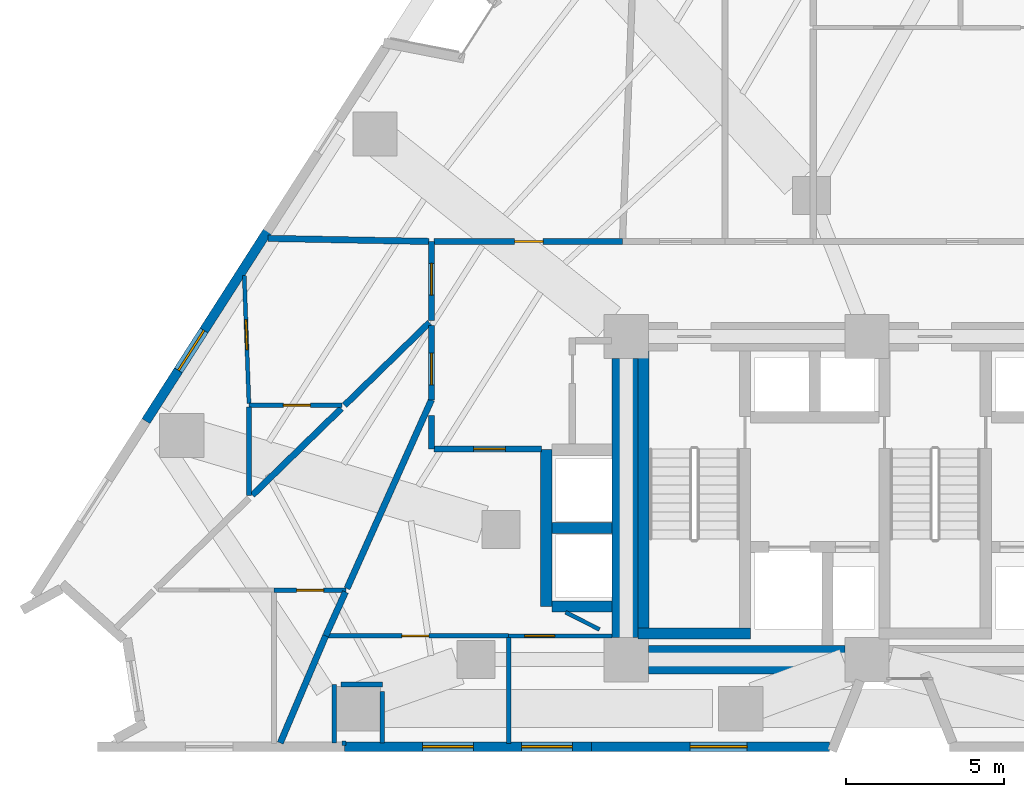
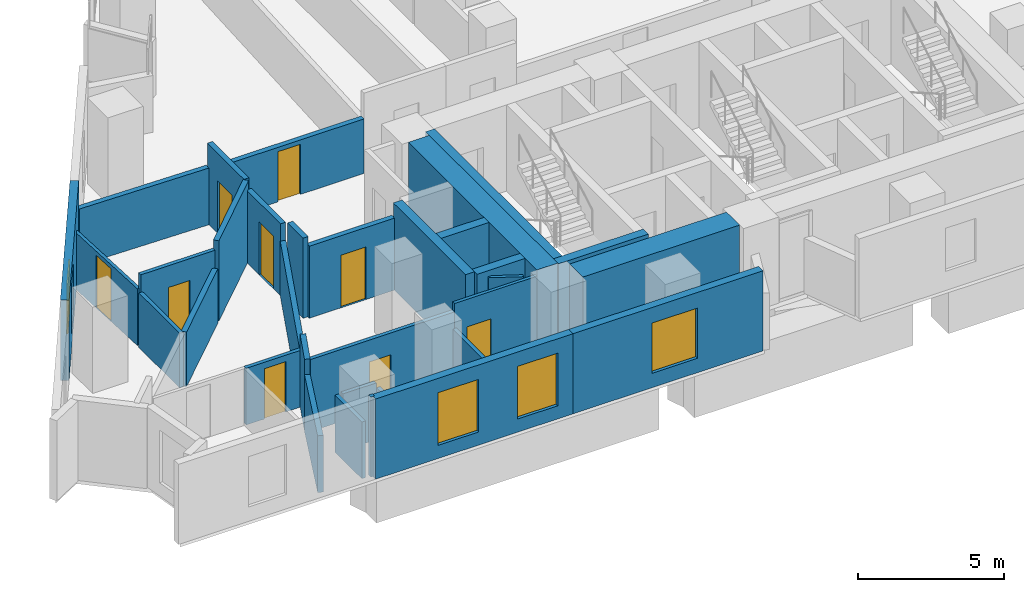
# One storey, part 7 of 13: 33 walls, 9 doors, 4 windows, 13 openings.
"""IFC4 building model written with IfcOpenShell, lengths in metres."""

from ifc_helpers import new_model, si_unit, direction, frame, frame_2d, origin, place, context, subcontext, project, spatial, rectangle, extrude, material, layer, layer_set, type_object, element, fill, save


model = new_model("IFC4")

# Units and contexts
model_context = context("Model", 3, precision=1e-05, world=origin(), true_north=direction((0.0, 1.0)))
body_context = subcontext(model_context, "Body", "Model", "MODEL_VIEW")
ifc_project = project(units=[si_unit("LENGTHUNIT", "METRE"), si_unit("AREAUNIT", "SQUARE_METRE"), si_unit("VOLUMEUNIT", "CUBIC_METRE"), si_unit("PLANEANGLEUNIT", "RADIAN"), si_unit("MASSUNIT", "GRAM", prefix="KILO")], contexts=[model_context])

# Site, building, storey
site_placement = place(None, origin())
site = spatial("IfcSite", under=ifc_project, at=site_placement, CompositionType="ELEMENT")
building_placement = place(site_placement, origin())
building = spatial("IfcBuilding", under=site, at=building_placement, Name="Almagre Mirador Tower", CompositionType="ELEMENT")
storey_placement = place(building_placement, frame((0.0, 0.0, 53.39990234375)))
storey = spatial("IfcBuildingStorey", under=building, at=storey_placement, Name="L12", CompositionType="ELEMENT", Elevation=53.39990234375)

# Wall, opening, window
ifc_material_1 = material(Name="Precast concrete C50/60", Category="concrete")
ifc_layer_1 = layer(ifc_material_1, 0.300048828125)
ifc_layer_set_1 = layer_set([ifc_layer_1], Name="Precast concrete C50/60")
wall_type_1 = type_object("IfcWallType", Name="WAL-EXT-300", PredefinedType="SOLIDWALL", material=ifc_layer_set_1)
wall_1_placement = place(storey_placement, frame((33.965087890625, 1.800048828125, 0.0), z_axis=(0.0, 0.0, 1.0), x_axis=(-1.0, 0.0, 0.0)))
wall_1 = element("IfcWall", 1, at=wall_1_placement, inside=storey, type_object=wall_type_1, Name="L12 expressed almagre precast frame wall 26", PredefinedType="SOLIDWALL", context=body_context, shape_type="SweptSolid", body=[
    extrude(rectangle(XDim=7.518310546875, YDim=0.300048828125, at=frame_2d((3.75927734375, 0.0))), origin(), (0.0, 0.0, 1.0), 3.35009765625),
])
opening_1_placement = place(wall_1_placement, frame((2.60009765625, 0.0, 0.60009765625)))
opening_1 = element("IfcOpeningElement", 2, at=opening_1_placement, cuts=wall_1, Name="Opening WN-01", PredefinedType="OPENING", context=body_context, shape_type="SweptSolid", body=[
    extrude(rectangle(XDim=1.800048828125, YDim=2.10009765625, at=frame_2d((0.89990234375, 1.050048828125))), frame((0.0, 0.159902, 0.0), z_axis=(0.0, -1.0, 0.0), x_axis=(1.0, 0.0, 0.0)), (0.0, 0.0, 1.0), 0.320049),
])
ifc_material_2 = material(Name="Dark solar-control laminated hurricane glass", Category="glass")
window_type_1 = type_object("IfcWindowType", Name="WIN-1800X2100", PartitioningType="DOUBLE_PANEL_VERTICAL", PredefinedType="WINDOW", material=ifc_material_2)
window_1_placement = place(opening_1_placement, origin())
window_1 = element("IfcWindow", 3, at=window_1_placement, inside=storey, type_object=window_type_1, Name="L12 recessed hurricane window L12-UB-KT", OverallHeight=2.10009765625, OverallWidth=1.800048828125, PartitioningType="SINGLE_PANEL", PredefinedType="WINDOW", context=body_context, shape_type="SweptSolid", body=[
    extrude(rectangle(XDim=1.800048828125, YDim=2.10009765625, at=frame_2d((0.89990234375, 1.050048828125))), frame((0.0, 0.030029296875, 0.0), z_axis=(0.0, -1.0, 0.0), x_axis=(1.0, 0.0, 0.0)), (0.0, 0.0, 1.0), 0.06005859375),
])
fill(opening_1, window_1)

# Wall, openings, windows
wall_2_placement = place(storey_placement, frame((26.44677734375, 1.800048828125, 0.0), z_axis=(0.0, 0.0, 1.0), x_axis=(-1.0, 0.0, 0.0)))
wall_2 = element("IfcWall", 4, at=wall_2_placement, inside=storey, type_object=wall_type_1, Name="L12 expressed almagre precast frame wall 27", PredefinedType="SOLIDWALL", context=body_context, shape_type="SweptSolid", body=[
    extrude(rectangle(XDim=7.79345703125, YDim=0.300048828125, at=frame_2d((3.896728515625, 0.0))), origin(), (0.0, 0.0, 1.0), 3.35009765625),
])
opening_2_placement = place(wall_2_placement, frame((3.72509765625, 0.0, 0.550048828125)))
opening_2 = element("IfcOpeningElement", 5, at=opening_2_placement, cuts=wall_2, Name="Opening WN-06", PredefinedType="OPENING", context=body_context, shape_type="SweptSolid", body=[
    extrude(rectangle(XDim=1.60009765625, YDim=2.199951171875, at=frame_2d((0.800048828125, 1.10009765625))), frame((0.0, 0.159902, 0.0), z_axis=(0.0, -1.0, 0.0), x_axis=(1.0, 0.0, 0.0)), (0.0, 0.0, 1.0), 0.320049),
])
opening_3_placement = place(wall_2_placement, frame((0.60009765625, 0.0, 0.550048828125)))
opening_3 = element("IfcOpeningElement", 6, at=opening_3_placement, cuts=wall_2, Name="Opening WN-06", PredefinedType="OPENING", context=body_context, shape_type="SweptSolid", body=[
    extrude(rectangle(XDim=1.60009765625, YDim=2.199951171875, at=frame_2d((0.800048828125, 1.10009765625))), frame((0.0, 0.159902, 0.0), z_axis=(0.0, -1.0, 0.0), x_axis=(1.0, 0.0, 0.0)), (0.0, 0.0, 1.0), 0.320049),
])
ifc_material_3 = material(Name="Dark solar-control laminated hurricane glass", Category="glass")
window_type_2 = type_object("IfcWindowType", Name="WIN-1600X2200", PartitioningType="DOUBLE_PANEL_VERTICAL", PredefinedType="WINDOW", material=ifc_material_3)
window_2_placement = place(opening_2_placement, origin())
window_2 = element("IfcWindow", 7, at=window_2_placement, inside=storey, type_object=window_type_2, Name="L12 recessed hurricane window L12-UB-BT", OverallHeight=2.199951171875, OverallWidth=1.60009765625, PartitioningType="SINGLE_PANEL", PredefinedType="WINDOW", context=body_context, shape_type="SweptSolid", body=[
    extrude(rectangle(XDim=1.60009765625, YDim=2.199951171875, at=frame_2d((0.800048828125, 1.10009765625))), frame((0.0, 0.030029296875, 0.0), z_axis=(0.0, -1.0, 0.0), x_axis=(1.0, 0.0, 0.0)), (0.0, 0.0, 1.0), 0.06005859375),
])
fill(opening_2, window_2)
window_3_placement = place(opening_3_placement, origin())
window_3 = element("IfcWindow", 8, at=window_3_placement, inside=storey, type_object=window_type_2, Name="L12 recessed hurricane window L12-UB-KT", OverallHeight=2.199951171875, OverallWidth=1.60009765625, PartitioningType="SINGLE_PANEL", PredefinedType="WINDOW", context=body_context, shape_type="SweptSolid", body=[
    extrude(rectangle(XDim=1.60009765625, YDim=2.199951171875, at=frame_2d((0.800048828125, 1.10009765625))), frame((0.0, 0.030029296875, 0.0), z_axis=(0.0, -1.0, 0.0), x_axis=(1.0, 0.0, 0.0)), (0.0, 0.0, 1.0), 0.06005859375),
])
fill(opening_3, window_3)

# Wall, opening, window
wall_3_placement = place(storey_placement, frame((12.386474609375, 12.079345703125, 0.0), z_axis=(0.0, 0.0, 1.0), x_axis=(0.539509086386, 0.841979777493, 0.0)))
wall_3 = element("IfcWall", 9, at=wall_3_placement, inside=storey, type_object=wall_type_1, Name="L12 expressed almagre precast frame wall 34", PredefinedType="SOLIDWALL", context=body_context, shape_type="SweptSolid", body=[
    extrude(rectangle(XDim=7.14892578125, YDim=0.300048828125, at=frame_2d((3.574462890625, 0.0))), origin(), (0.0, 0.0, 1.0), 3.35009765625),
])
opening_4_placement = place(wall_3_placement, frame((1.89990234375, 0.0, 0.60009765625)))
opening_4 = element("IfcOpeningElement", 10, at=opening_4_placement, cuts=wall_3, Name="Opening WN-03", PredefinedType="OPENING", context=body_context, shape_type="SweptSolid", body=[
    extrude(rectangle(XDim=1.5, YDim=2.10009765625, at=frame_2d((0.75, 1.050048828125))), frame((0.0, 0.159902, 0.0), z_axis=(0.0, -1.0, 0.0), x_axis=(1.0, 0.0, 0.0)), (0.0, 0.0, 1.0), 0.320049),
])
ifc_material_4 = material(Name="Dark solar-control laminated hurricane glass", Category="glass")
window_type_3 = type_object("IfcWindowType", Name="WIN-1500X2100", PartitioningType="DOUBLE_PANEL_VERTICAL", PredefinedType="WINDOW", material=ifc_material_4)
window_4_placement = place(opening_4_placement, origin())
window_4 = element("IfcWindow", 11, at=window_4_placement, inside=storey, type_object=window_type_3, Name="L12 recessed hurricane window L12-UE-KT", OverallHeight=2.10009765625, OverallWidth=1.5, PartitioningType="SINGLE_PANEL", PredefinedType="WINDOW", context=body_context, shape_type="SweptSolid", body=[
    extrude(rectangle(XDim=1.5, YDim=2.10009765625, at=frame_2d((0.75, 1.050048828125))), frame((0.0, 0.030029296875, 0.0), z_axis=(0.0, -1.0, 0.0), x_axis=(1.0, 0.0, 0.0)), (0.0, 0.0, 1.0), 0.06005859375),
])
fill(opening_4, window_4)

# Wall, opening, door
ifc_material_5 = material(Name="Gypsum acoustic stud partition", Category="other")
ifc_layer_2 = layer(ifc_material_5, 0.125)
ifc_layer_set_2 = layer_set([ifc_layer_2], Name="Gypsum acoustic stud partition")
wall_type_2 = type_object("IfcWallType", Name="WAL-PRT-125-UTL", PredefinedType="PARTITIONING", material=ifc_layer_set_2)
wall_4_placement = place(storey_placement, frame((23.840087890625, 5.300048828125, 0.0), z_axis=(0.0, 0.0, 1.0), x_axis=(1.0, 0.0, 0.0)))
wall_4 = element("IfcWall", 12, at=wall_4_placement, inside=storey, type_object=wall_type_2, Name="L12 interior partition 026", PredefinedType="PARTITIONING", context=body_context, shape_type="SweptSolid", body=[
    extrude(rectangle(XDim=3.260009765625, YDim=0.125, at=frame_2d((1.6298828125, 0.0))), origin(), (0.0, 0.0, 1.0), 3.35009765625),
])
opening_5_placement = place(wall_4_placement, frame((0.498291015625, 0.0, 0.0)))
opening_5 = element("IfcOpeningElement", 13, at=opening_5_placement, cuts=wall_4, Name="Opening UD-01", PredefinedType="OPENING", context=body_context, shape_type="SweptSolid", body=[
    extrude(rectangle(XDim=0.949951171875, YDim=2.199951171875, at=frame_2d((0.47509765625, 1.10009765625))), frame((0.0, 0.0725, 0.0), z_axis=(0.0, -1.0, 0.0), x_axis=(1.0, 0.0, 0.0)), (0.0, 0.0, 1.0), 0.145),
])
ifc_material_6 = material(Name="Solid American walnut timber", Category="wood")
door_type_1 = type_object("IfcDoorType", Name="DOR-UNR-950X2200", OperationType="NOTDEFINED", PredefinedType="DOOR", material=ifc_material_6)
door_1_placement = place(opening_5_placement, origin())
door_1 = element("IfcDoor", 14, at=door_1_placement, inside=storey, type_object=door_type_1, Name="DR-0387 L12 interior door L12-UB-ST to L12-UB-KT", OperationType="SINGLE_SWING_LEFT", OverallHeight=2.199951171875, OverallWidth=0.949951171875, PredefinedType="DOOR", context=body_context, shape_type="SweptSolid", body=[
    extrude(rectangle(XDim=0.949951171875, YDim=2.199951171875, at=frame_2d((0.47509765625, 1.10009765625))), frame((0.0, 0.02490234375, 0.0), z_axis=(0.0, -1.0, 0.0), x_axis=(1.0, 0.0, 0.0)), (0.0, 0.0, 1.0), 0.050048828125),
])
fill(opening_5, door_1)

wall_5_placement = place(storey_placement, frame((15.489990234375, 16.677978515625, 0.0), z_axis=(0.0, 0.0, 1.0), x_axis=(0.036674223431, -0.999327274388, 0.0)))
wall_5 = element("IfcWall", 15, at=wall_5_placement, inside=storey, type_object=wall_type_2, Name="L12 interior partition 047", PredefinedType="PARTITIONING", context=body_context, shape_type="SweptSolid", body=[
    extrude(rectangle(XDim=4.040771484375, YDim=0.125, at=frame_2d((2.0205078125, 0.0))), origin(), (0.0, 0.0, 1.0), 2.3701171875),
])
opening_6_placement = place(wall_5_placement, frame((1.393310546875, 0.0, 0.0)))
opening_6 = element("IfcOpeningElement", 16, at=opening_6_placement, cuts=wall_5, Name="Opening UD-01", PredefinedType="OPENING", context=body_context, shape_type="SweptSolid", body=[
    extrude(rectangle(XDim=0.949951171875, YDim=2.199951171875, at=frame_2d((0.47509765625, 1.10009765625))), frame((0.0, 0.0725, 0.0), z_axis=(0.0, -1.0, 0.0), x_axis=(1.0, 0.0, 0.0)), (0.0, 0.0, 1.0), 0.145),
])
door_2_placement = place(opening_6_placement, origin())
door_2 = element("IfcDoor", 17, at=door_2_placement, inside=storey, type_object=door_type_1, Name="DR-0390 L12 interior door L12-UE-ST to L12-UE-KT", OperationType="SINGLE_SWING_RIGHT", OverallHeight=2.199951171875, OverallWidth=0.949951171875, PredefinedType="DOOR", context=body_context, shape_type="SweptSolid", body=[
    extrude(rectangle(XDim=0.949951171875, YDim=2.199951171875, at=frame_2d((0.47509765625, 1.10009765625))), frame((0.0, 0.02490234375, 0.0), z_axis=(0.0, -1.0, 0.0), x_axis=(1.0, 0.0, 0.0)), (0.0, 0.0, 1.0), 0.050048828125),
])
fill(opening_6, door_2)

# Wall
wall_6_placement = place(storey_placement, frame((25.635009765625, 6.045654296875, 0.0), z_axis=(0.0, 0.0, 1.0), x_axis=(0.891197428161, -0.453615634694, 0.0)))
element("IfcWall", 18, at=wall_6_placement, inside=storey, type_object=wall_type_2, Name="L12 interior partition 104", PredefinedType="PARTITIONING", context=body_context, shape_type="SweptSolid", body=[
    extrude(rectangle(XDim=1.202880859375, YDim=0.125, at=frame_2d((0.6015625, 0.0))), origin(), (0.0, 0.0, 1.0), 3.35009765625),
])

# Wall, opening, door
ifc_material_7 = material(Name="Gypsum acoustic stud partition", Category="other")
ifc_layer_3 = layer(ifc_material_7, 0.14990234375)
ifc_layer_set_3 = layer_set([ifc_layer_3], Name="Gypsum acoustic stud partition")
wall_type_3 = type_object("IfcWallType", Name="WAL-PRT-150-STD", PredefinedType="PARTITIONING", material=ifc_layer_set_3)
wall_7_placement = place(storey_placement, frame((16.429931640625, 6.739990234375, 0.0), z_axis=(0.0, 0.0, 1.0), x_axis=(1.0, 0.0, 0.0)))
wall_7 = element("IfcWall", 19, at=wall_7_placement, inside=storey, type_object=wall_type_3, Name="L12 interior partition 016", PredefinedType="PARTITIONING", context=body_context, shape_type="SweptSolid", body=[
    extrude(rectangle(XDim=2.280029296875, YDim=0.14990234375, at=frame_2d((1.14013671875, 0.0))), origin(), (0.0, 0.0, 1.0), 2.3701171875),
])
opening_7_placement = place(wall_7_placement, frame((0.715087890625, 0.0, 0.0)))
opening_7 = element("IfcOpeningElement", 20, at=opening_7_placement, cuts=wall_7, Name="Opening UD-04", PredefinedType="OPENING", context=body_context, shape_type="SweptSolid", body=[
    extrude(rectangle(XDim=0.85009765625, YDim=2.10009765625, at=frame_2d((0.425048828125, 1.050048828125))), frame((0.0, 0.084951, 0.0), z_axis=(0.0, -1.0, 0.0), x_axis=(1.0, 0.0, 0.0)), (0.0, 0.0, 1.0), 0.169902),
])
ifc_material_8 = material(Name="Moisture-resistant oak timber", Category="wood")
door_type_2 = type_object("IfcDoorType", Name="DOR-UNR-850X2100", OperationType="NOTDEFINED", PredefinedType="DOOR", material=ifc_material_8)
door_3_placement = place(opening_7_placement, origin())
door_3 = element("IfcDoor", 21, at=door_3_placement, inside=storey, type_object=door_type_2, Name="DR-0385 L12 interior door L12-UA-ST to L12-UA-BT", OperationType="SINGLE_SWING_LEFT", OverallHeight=2.10009765625, OverallWidth=0.85009765625, PredefinedType="DOOR", context=body_context, shape_type="SweptSolid", body=[
    extrude(rectangle(XDim=0.85009765625, YDim=2.10009765625, at=frame_2d((0.425048828125, 1.050048828125))), frame((0.0, 0.02490234375, 0.0), z_axis=(0.0, -1.0, 0.0), x_axis=(1.0, 0.0, 0.0)), (0.0, 0.0, 1.0), 0.050048828125),
])
fill(opening_7, door_3)

wall_8_placement = place(storey_placement, frame((18.14501953125, 5.300048828125, 0.0), z_axis=(0.0, 0.0, 1.0), x_axis=(1.0, 0.0, 0.0)))
wall_8 = element("IfcWall", 22, at=wall_8_placement, inside=storey, type_object=wall_type_3, Name="L12 interior partition 025", PredefinedType="PARTITIONING", context=body_context, shape_type="SweptSolid", body=[
    extrude(rectangle(XDim=5.695068359375, YDim=0.14990234375, at=frame_2d((2.84765625, 0.0))), origin(), (0.0, 0.0, 1.0), 3.010009765625),
])
opening_8_placement = place(wall_8_placement, frame((2.3203125, 0.0, 0.0)))
opening_8 = element("IfcOpeningElement", 23, at=opening_8_placement, cuts=wall_8, Name="Opening UD-04", PredefinedType="OPENING", context=body_context, shape_type="SweptSolid", body=[
    extrude(rectangle(XDim=0.85009765625, YDim=2.10009765625, at=frame_2d((0.425048828125, 1.050048828125))), frame((0.0, 0.084951, 0.0), z_axis=(0.0, -1.0, 0.0), x_axis=(1.0, 0.0, 0.0)), (0.0, 0.0, 1.0), 0.169902),
])
door_4_placement = place(opening_8_placement, origin())
door_4 = element("IfcDoor", 24, at=door_4_placement, inside=storey, type_object=door_type_2, Name="DR-0388 L12 interior door L12-UB-ST to L12-UB-BT", OperationType="SINGLE_SWING_RIGHT", OverallHeight=2.10009765625, OverallWidth=0.85009765625, PredefinedType="DOOR", context=body_context, shape_type="SweptSolid", body=[
    extrude(rectangle(XDim=0.85009765625, YDim=2.10009765625, at=frame_2d((0.425048828125, 1.050048828125))), frame((0.0, 0.02490234375, 0.0), z_axis=(0.0, -1.0, 0.0), x_axis=(1.0, 0.0, 0.0)), (0.0, 0.0, 1.0), 0.050048828125),
])
fill(opening_8, door_4)

# Wall
wall_9_placement = place(storey_placement, frame((23.840087890625, 1.89990234375, 0.0), z_axis=(0.0, 0.0, 1.0), x_axis=(0.0, 1.0, 0.0)))
element("IfcWall", 25, at=wall_9_placement, inside=storey, type_object=wall_type_3, Name="L12 interior partition 027", PredefinedType="PARTITIONING", context=body_context, shape_type="SweptSolid", body=[
    extrude(rectangle(XDim=3.340087890625, YDim=0.14990234375, at=frame_2d((1.669921875, 0.0))), origin(), (0.0, 0.0, 1.0), 2.30908203125),
])

# Wall, opening, door
wall_10_placement = place(storey_placement, frame((15.639892578125, 12.580078125, 0.0), z_axis=(0.0, 0.0, 1.0), x_axis=(1.0, 0.0, 0.0)))
wall_10 = element("IfcWall", 26, at=wall_10_placement, inside=storey, type_object=wall_type_3, Name="L12 interior partition 046", PredefinedType="PARTITIONING", context=body_context, shape_type="SweptSolid", body=[
    extrude(rectangle(XDim=2.93505859375, YDim=0.14990234375, at=frame_2d((1.467529296875, 0.0))), origin(), (0.0, 0.0, 1.0), 3.010009765625),
])
opening_9_placement = place(wall_10_placement, frame((1.0849609375, 0.0, 0.0)))
opening_9 = element("IfcOpeningElement", 27, at=opening_9_placement, cuts=wall_10, Name="Opening UD-04", PredefinedType="OPENING", context=body_context, shape_type="SweptSolid", body=[
    extrude(rectangle(XDim=0.85009765625, YDim=2.10009765625, at=frame_2d((0.425048828125, 1.050048828125))), frame((0.0, 0.084951, 0.0), z_axis=(0.0, -1.0, 0.0), x_axis=(1.0, 0.0, 0.0)), (0.0, 0.0, 1.0), 0.169902),
])
door_5_placement = place(opening_9_placement, origin())
door_5 = element("IfcDoor", 28, at=door_5_placement, inside=storey, type_object=door_type_2, Name="DR-0391 L12 interior door L12-UE-ST to L12-UE-BT", OperationType="SINGLE_SWING_LEFT", OverallHeight=2.10009765625, OverallWidth=0.85009765625, PredefinedType="DOOR", context=body_context, shape_type="SweptSolid", body=[
    extrude(rectangle(XDim=0.85009765625, YDim=2.10009765625, at=frame_2d((0.425048828125, 1.050048828125))), frame((0.0, 0.02490234375, 0.0), z_axis=(0.0, -1.0, 0.0), x_axis=(1.0, 0.0, 0.0)), (0.0, 0.0, 1.0), 0.050048828125),
])
fill(opening_9, door_5)

# Walls
wall_11_placement = place(storey_placement, frame((15.639892578125, 12.52001953125, 0.0), z_axis=(0.0, 0.0, 1.0), x_axis=(0.0, -1.0, 0.0)))
element("IfcWall", 29, at=wall_11_placement, inside=storey, type_object=wall_type_3, Name="L12 interior partition 049", PredefinedType="PARTITIONING", context=body_context, shape_type="SweptSolid", body=[
    extrude(rectangle(XDim=2.794921875, YDim=0.14990234375, at=frame_2d((1.3974609375, 0.0))), origin(), (0.0, 0.0, 1.0), 2.279052734375),
])
wall_12_placement = place(storey_placement, frame((18.7099609375, 1.908935546875, 0.0), z_axis=(0.0, 0.0, 1.0), x_axis=(-1.0, 0.0, 0.0)))
element("IfcWall", 30, at=wall_12_placement, inside=storey, type_object=wall_type_3, Name="L12 interior partition 108", PredefinedType="PARTITIONING", context=body_context, shape_type="SweptSolid", body=[
    extrude(rectangle(XDim=0.139892578125, YDim=0.14990234375, at=frame_2d((0.06982421875, 0.0))), origin(), (0.0, 0.0, 1.0), 3.35009765625),
])
wall_13_placement = place(storey_placement, frame((18.330078125, 1.908935546875, 0.0), z_axis=(0.0, 0.0, 1.0), x_axis=(0.0, 1.0, 0.0)))
element("IfcWall", 31, at=wall_13_placement, inside=storey, type_object=wall_type_3, Name="L12 interior partition 109", PredefinedType="PARTITIONING", context=body_context, shape_type="SweptSolid", body=[
    extrude(rectangle(XDim=1.85107421875, YDim=0.14990234375, at=frame_2d((0.925537109375, 0.0))), origin(), (0.0, 0.0, 1.0), 2.3701171875),
])
wall_14_placement = place(storey_placement, frame((18.544921875, 3.760009765625, 0.0), z_axis=(0.0, 0.0, 1.0), x_axis=(1.0, 0.0, 0.0)))
element("IfcWall", 32, at=wall_14_placement, inside=storey, type_object=wall_type_3, Name="L12 interior partition 110", PredefinedType="PARTITIONING", context=body_context, shape_type="SweptSolid", body=[
    extrude(rectangle(XDim=1.30517578125, YDim=0.14990234375, at=frame_2d((0.652587890625, 0.0))), origin(), (0.0, 0.0, 1.0), 2.3701171875),
])
wall_15_placement = place(storey_placement, frame((19.85009765625, 3.544921875, 0.0), z_axis=(0.0, 0.0, 1.0), x_axis=(0.0, -1.0, 0.0)))
element("IfcWall", 33, at=wall_15_placement, inside=storey, type_object=wall_type_3, Name="L12 interior partition 111", PredefinedType="PARTITIONING", context=body_context, shape_type="SweptSolid", body=[
    extrude(rectangle(XDim=1.635986328125, YDim=0.14990234375, at=frame_2d((0.81787109375, 0.0))), origin(), (0.0, 0.0, 1.0), 2.279052734375),
])

# Wall, opening, door
ifc_material_9 = material(Name="Gypsum acoustic stud partition", Category="other")
ifc_layer_4 = layer(ifc_material_9, 0.199951171875)
ifc_layer_set_4 = layer_set([ifc_layer_4], Name="Gypsum acoustic stud partition")
wall_type_4 = type_object("IfcWallType", Name="WAL-PRT-200-EI60", PredefinedType="PARTITIONING", material=ifc_layer_set_4)
wall_16_placement = place(storey_placement, frame((21.39990234375, 15.090087890625, 0.0), z_axis=(0.0, 0.0, 1.0), x_axis=(0.0, -1.0, 0.0)))
wall_16 = element("IfcWall", 34, at=wall_16_placement, inside=storey, type_object=wall_type_4, Name="L12 interior partition 001", PredefinedType="PARTITIONING", context=body_context, shape_type="SweptSolid", body=[
    extrude(rectangle(XDim=2.340087890625, YDim=0.199951171875, at=frame_2d((1.169921875, 0.0))), origin(), (0.0, 0.0, 1.0), 3.010009765625),
])
opening_10_placement = place(wall_16_placement, frame((0.8671875, 0.0, 0.0)))
opening_10 = element("IfcOpeningElement", 35, at=opening_10_placement, cuts=wall_16, Name="Opening ID-01", PredefinedType="OPENING", context=body_context, shape_type="SweptSolid", body=[
    extrude(rectangle(XDim=1.0, YDim=2.199951171875, at=frame_2d((0.5, 1.10009765625))), frame((0.0, 0.110098, 0.0), z_axis=(0.0, -1.0, 0.0), x_axis=(1.0, 0.0, 0.0)), (0.0, 0.0, 1.0), 0.219951),
])
ifc_material_10 = material(Name="Fire-rated walnut timber", Category="wood")
door_type_3 = type_object("IfcDoorType", Name="DOR-FD60-1000X2200", OperationType="NOTDEFINED", PredefinedType="DOOR", material=ifc_material_10)
door_6_placement = place(opening_10_placement, origin())
door_6 = element("IfcDoor", 36, at=door_6_placement, inside=storey, type_object=door_type_3, Name="DR-0383 L12 interior door L12-RCOR to L12-UA-ST", OperationType="SINGLE_SWING_LEFT", OverallHeight=2.199951171875, OverallWidth=1.0, PredefinedType="DOOR", context=body_context, shape_type="SweptSolid", body=[
    extrude(rectangle(XDim=1.0, YDim=2.199951171875, at=frame_2d((0.5, 1.10009765625))), frame((0.0, 0.02490234375, 0.0), z_axis=(0.0, -1.0, 0.0), x_axis=(1.0, 0.0, 0.0)), (0.0, 0.0, 1.0), 0.050048828125),
])
fill(opening_10, door_6)

# Wall
wall_17_placement = place(storey_placement, frame((21.39990234375, 12.260498046875, 0.0), z_axis=(0.0, 0.0, 1.0), x_axis=(0.0, -1.0, 0.0)))
element("IfcWall", 37, at=wall_17_placement, inside=storey, type_object=wall_type_4, Name="L12 interior partition 002", PredefinedType="PARTITIONING", context=body_context, shape_type="SweptSolid", body=[
    extrude(rectangle(XDim=1.060546875, YDim=0.199951171875, at=frame_2d((0.5302734375, 0.0))), origin(), (0.0, 0.0, 1.0), 3.35009765625),
])

# Wall, opening, door
wall_18_placement = place(storey_placement, frame((21.485107421875, 11.199951171875, 0.0), z_axis=(0.0, 0.0, 1.0), x_axis=(1.0, 0.0, 0.0)))
wall_18 = element("IfcWall", 38, at=wall_18_placement, inside=storey, type_object=wall_type_4, Name="L12 interior partition 003", PredefinedType="PARTITIONING", context=body_context, shape_type="SweptSolid", body=[
    extrude(rectangle(XDim=3.384033203125, YDim=0.199951171875, at=frame_2d((1.69189453125, 0.0))), origin(), (0.0, 0.0, 1.0), 3.010009765625),
])
opening_11_placement = place(wall_18_placement, frame((1.249755859375, 0.0, 0.0)))
opening_11 = element("IfcOpeningElement", 39, at=opening_11_placement, cuts=wall_18, Name="Opening ID-01", PredefinedType="OPENING", context=body_context, shape_type="SweptSolid", body=[
    extrude(rectangle(XDim=1.0, YDim=2.199951171875, at=frame_2d((0.5, 1.10009765625))), frame((0.0, 0.110098, 0.0), z_axis=(0.0, -1.0, 0.0), x_axis=(1.0, 0.0, 0.0)), (0.0, 0.0, 1.0), 0.219951),
])
door_7_placement = place(opening_11_placement, origin())
door_7 = element("IfcDoor", 40, at=door_7_placement, inside=storey, type_object=door_type_3, Name="DR-0386 L12 interior door L12-RCOR to L12-UB-ST", OperationType="SINGLE_SWING_RIGHT", OverallHeight=2.199951171875, OverallWidth=1.0, PredefinedType="DOOR", context=body_context, shape_type="SweptSolid", body=[
    extrude(rectangle(XDim=1.0, YDim=2.199951171875, at=frame_2d((0.5, 1.10009765625))), frame((0.0, 0.02490234375, 0.0), z_axis=(0.0, -1.0, 0.0), x_axis=(1.0, 0.0, 0.0)), (0.0, 0.0, 1.0), 0.050048828125),
])
fill(opening_11, door_7)

wall_19_placement = place(storey_placement, frame((21.39990234375, 17.75, 0.0), z_axis=(0.0, 0.0, 1.0), x_axis=(0.0, -1.0, 0.0)))
wall_19 = element("IfcWall", 41, at=wall_19_placement, inside=storey, type_object=wall_type_4, Name="L12 interior partition 006", PredefinedType="PARTITIONING", context=body_context, shape_type="SweptSolid", body=[
    extrude(rectangle(XDim=2.5, YDim=0.199951171875, at=frame_2d((1.25, 0.0))), origin(), (0.0, 0.0, 1.0), 3.35009765625),
])
opening_12_placement = place(wall_19_placement, frame((0.694580078125, 0.0, 0.0)))
opening_12 = element("IfcOpeningElement", 42, at=opening_12_placement, cuts=wall_19, Name="Opening ID-01", PredefinedType="OPENING", context=body_context, shape_type="SweptSolid", body=[
    extrude(rectangle(XDim=1.0, YDim=2.199951171875, at=frame_2d((0.5, 1.10009765625))), frame((0.0, 0.110098, 0.0), z_axis=(0.0, -1.0, 0.0), x_axis=(1.0, 0.0, 0.0)), (0.0, 0.0, 1.0), 0.219951),
])
door_8_placement = place(opening_12_placement, origin())
door_8 = element("IfcDoor", 43, at=door_8_placement, inside=storey, type_object=door_type_3, Name="DR-0389 L12 interior door L12-RCOR to L12-UE-ST", OperationType="SINGLE_SWING_LEFT", OverallHeight=2.199951171875, OverallWidth=1.0, PredefinedType="DOOR", context=body_context, shape_type="SweptSolid", body=[
    extrude(rectangle(XDim=1.0, YDim=2.199951171875, at=frame_2d((0.5, 1.10009765625))), frame((0.0, 0.02490234375, 0.0), z_axis=(0.0, -1.0, 0.0), x_axis=(1.0, 0.0, 0.0)), (0.0, 0.0, 1.0), 0.050048828125),
])
fill(opening_12, door_8)

wall_20_placement = place(storey_placement, frame((27.429931640625, 17.75, 0.0), z_axis=(0.0, 0.0, 1.0), x_axis=(-1.0, 0.0, 0.0)))
wall_20 = element("IfcWall", 44, at=wall_20_placement, inside=storey, type_object=wall_type_4, Name="L12 interior partition 008", PredefinedType="PARTITIONING", context=body_context, shape_type="SweptSolid", body=[
    extrude(rectangle(XDim=5.94482421875, YDim=0.199951171875, at=frame_2d((2.972412109375, 0.0))), origin(), (0.0, 0.0, 1.0), 2.279052734375),
])
opening_13_placement = place(wall_20_placement, frame((2.505859375, 0.0, 0.0)))
opening_13 = element("IfcOpeningElement", 45, at=opening_13_placement, cuts=wall_20, Name="Opening ID-03", PredefinedType="OPENING", context=body_context, shape_type="SweptSolid", body=[
    extrude(rectangle(XDim=0.89990234375, YDim=2.10009765625, at=frame_2d((0.449951171875, 1.050048828125))), frame((0.0, 0.110098, 0.0), z_axis=(0.0, -1.0, 0.0), x_axis=(1.0, 0.0, 0.0)), (0.0, 0.0, 1.0), 0.219951),
])
ifc_material_11 = material(Name="Fire-rated hollow steel", Category="steel")
door_type_4 = type_object("IfcDoorType", Name="DOR-FD60-900X2100", OperationType="NOTDEFINED", PredefinedType="DOOR", material=ifc_material_11)
door_9_placement = place(opening_13_placement, origin())
door_9 = element("IfcDoor", 46, at=door_9_placement, inside=storey, type_object=door_type_4, Name="DR-0382 L12 interior door L12-RCOR to L12-RST-G", OperationType="SINGLE_SWING_RIGHT", OverallHeight=2.10009765625, OverallWidth=0.89990234375, PredefinedType="DOOR", context=body_context, shape_type="SweptSolid", body=[
    extrude(rectangle(XDim=0.89990234375, YDim=2.10009765625, at=frame_2d((0.449951171875, 1.050048828125))), frame((0.0, 0.02490234375, 0.0), z_axis=(0.0, -1.0, 0.0), x_axis=(1.0, 0.0, 0.0)), (0.0, 0.0, 1.0), 0.050048828125),
])
fill(opening_13, door_9)

# Walls
wall_21_placement = place(storey_placement, frame((18.734619140625, 6.794921875, 0.0), z_axis=(0.0, 0.0, 1.0), x_axis=(0.408515389568, 0.912751431928, 0.0)))
element("IfcWall", 47, at=wall_21_placement, inside=storey, type_object=wall_type_4, Name="L12 interior partition 017", PredefinedType="PARTITIONING", context=body_context, shape_type="SweptSolid", body=[
    extrude(rectangle(XDim=6.5244140625, YDim=0.199951171875, at=frame_2d((3.26220703125, 0.0))), origin(), (0.0, 0.0, 1.0), 2.279052734375),
])
wall_22_placement = place(storey_placement, frame((21.339111328125, 15.190673828125, 0.0), z_axis=(0.0, 0.0, 1.0), x_axis=(-0.716217041319, -0.697877603684, 0.0)))
element("IfcWall", 48, at=wall_22_placement, inside=storey, type_object=wall_type_4, Name="L12 interior partition 018", PredefinedType="PARTITIONING", context=body_context, shape_type="SweptSolid", body=[
    extrude(rectangle(XDim=3.74072265625, YDim=0.199951171875, at=frame_2d((1.870361328125, 0.0))), origin(), (0.0, 0.0, 1.0), 3.35009765625),
])
wall_23_placement = place(storey_placement, frame((18.55615234375, 12.47900390625, 0.0), z_axis=(0.0, 0.0, 1.0), x_axis=(-0.716529276708, -0.69755701962, 0.0)))
element("IfcWall", 49, at=wall_23_placement, inside=storey, type_object=wall_type_4, Name="L12 interior partition 019", PredefinedType="PARTITIONING", context=body_context, shape_type="SweptSolid", body=[
    extrude(rectangle(XDim=3.9248046875, YDim=0.199951171875, at=frame_2d((1.96240234375, 0.0))), origin(), (0.0, 0.0, 1.0), 2.279052734375),
])
wall_24_placement = place(storey_placement, frame((18.06005859375, 5.300048828125, 0.0), z_axis=(0.0, 0.0, 1.0), x_axis=(0.411393031605, 0.911458048155, 0.0)))
element("IfcWall", 50, at=wall_24_placement, inside=storey, type_object=wall_type_4, Name="L12 interior partition 023", PredefinedType="PARTITIONING", context=body_context, shape_type="SweptSolid", body=[
    extrude(rectangle(XDim=1.519775390625, YDim=0.199951171875, at=frame_2d((0.759765625, 0.0))), origin(), (0.0, 0.0, 1.0), 3.010009765625),
])
wall_25_placement = place(storey_placement, frame((16.626953125, 1.91796875, 0.0), z_axis=(0.0, 0.0, 1.0), x_axis=(0.390153809481, 0.920749697229, 0.0)))
element("IfcWall", 51, at=wall_25_placement, inside=storey, type_object=wall_type_4, Name="L12 interior partition 024", PredefinedType="PARTITIONING", context=body_context, shape_type="SweptSolid", body=[
    extrude(rectangle(XDim=3.673095703125, YDim=0.199951171875, at=frame_2d((1.83642578125, 0.0))), origin(), (0.0, 0.0, 1.0), 2.3701171875),
])
wall_26_placement = place(storey_placement, frame((21.31494140625, 17.751220703125, 0.0), z_axis=(0.0, 0.0, 1.0), x_axis=(-0.999818800326, 0.019035926964, 0.0)))
element("IfcWall", 52, at=wall_26_placement, inside=storey, type_object=wall_type_4, Name="L12 interior partition 048", PredefinedType="PARTITIONING", context=body_context, shape_type="SweptSolid", body=[
    extrude(rectangle(XDim=5.078857421875, YDim=0.199951171875, at=frame_2d((2.53955078125, 0.0))), origin(), (0.0, 0.0, 1.0), 2.3701171875),
])
ifc_material_12 = material(Name="Concrete C60/75", Category="concrete")
ifc_layer_5 = layer(ifc_material_12, 0.35009765625)
ifc_layer_set_5 = layer_set([ifc_layer_5], Name="Concrete C60/75")
wall_type_5 = type_object("IfcWallType", Name="WAL-SHF-350", PredefinedType="SOLIDWALL", material=ifc_layer_set_5)
wall_27_placement = place(storey_placement, frame((28.10009765625, 5.199951171875, 0.0), z_axis=(0.0, 0.0, 1.0), x_axis=(0.0, 1.0, 0.0)))
element("IfcWall", 53, at=wall_27_placement, inside=storey, type_object=wall_type_5, Name="L12 shaft wall ST1-W", PredefinedType="SOLIDWALL", context=body_context, shape_type="SweptSolid", body=[
    extrude(rectangle(XDim=9.10009765625, YDim=0.35009765625, at=frame_2d((4.550048828125, 0.0))), origin(), (0.0, 0.0, 1.0), 3.60009765625),
])
wall_28_placement = place(storey_placement, frame((27.925048828125, 5.375, 0.0), z_axis=(0.0, 0.0, 1.0), x_axis=(1.0, 0.0, 0.0)))
element("IfcWall", 54, at=wall_28_placement, inside=storey, type_object=wall_type_5, Name="L12 shaft wall ST1-S", PredefinedType="SOLIDWALL", context=body_context, shape_type="SweptSolid", body=[
    extrude(rectangle(XDim=3.550048828125, YDim=0.35009765625, at=frame_2d((1.77490234375, 0.0))), origin(), (0.0, 0.0, 1.0), 3.60009765625),
])
wall_29_placement = place(storey_placement, frame((25.02490234375, 6.22509765625, 0.0), z_axis=(0.0, 0.0, 1.0), x_axis=(0.0, 1.0, 0.0)))
element("IfcWall", 55, at=wall_29_placement, inside=storey, type_object=wall_type_5, Name="L12 shaft wall OL-W", PredefinedType="SOLIDWALL", context=body_context, shape_type="SweptSolid", body=[
    extrude(rectangle(XDim=4.949951171875, YDim=0.35009765625, at=frame_2d((2.47509765625, 0.0))), origin(), (0.0, 0.0, 1.0), 3.60009765625),
])
for number, where, z_axis, x_axis, name in (
    (56, (25.199951171875, 6.22509765625, 0.0), (0.0, 0.0, 1.0), (1.0, 0.0, 0.0), "L12 shaft wall OL-S"),
    (57, (25.199951171875, 8.699951171875, 0.0), (0.0, 0.0, 1.0), (1.0, 0.0, 0.0), "L12 shaft wall OL-M"),
):
    element("IfcWall", number, at=place(storey_placement, frame(where, z_axis=z_axis, x_axis=x_axis)), inside=storey, type_object=wall_type_5, Name=name, PredefinedType="SOLIDWALL", context=body_context, shape_type="SweptSolid", body=[
        extrude(rectangle(XDim=1.900146484375, YDim=0.35009765625, at=frame_2d((0.9501953125, 0.0))), origin(), (0.0, 0.0, 1.0), 3.60009765625),
    ])
ifc_material_13 = material(Name="Concrete C70/85", Category="concrete")
ifc_layer_6 = layer(ifc_material_13, 0.89990234375)
ifc_layer_set_6 = layer_set([ifc_layer_6], Name="Concrete C70/85")
wall_type_6 = type_object("IfcWallType", Name="WAL-SHR-900", PredefinedType="SHEAR", material=ifc_layer_set_6)
wall_30_placement = place(storey_placement, frame((28.25, 4.550048828125, 0.0), z_axis=(0.0, 0.0, 1.0), x_axis=(1.0, 0.0, 0.0)))
element("IfcWall", 58, at=wall_30_placement, inside=storey, type_object=wall_type_6, Name="L12 core shear wall S1", PredefinedType="SHEAR", context=body_context, shape_type="SweptSolid", body=[
    extrude(rectangle(XDim=6.199951171875, YDim=0.89990234375, at=frame_2d((3.10009765625, 0.0))), origin(), (0.0, 0.0, 1.0), 3.60009765625),
])
wall_31_placement = place(storey_placement, frame((27.550048828125, 5.25, 0.0), z_axis=(0.0, 0.0, 1.0), x_axis=(0.0, 1.0, 0.0)))
element("IfcWall", 59, at=wall_31_placement, inside=storey, type_object=wall_type_6, Name="L12 core shear wall W1", PredefinedType="SHEAR", context=body_context, shape_type="SweptSolid", body=[
    extrude(rectangle(XDim=8.800048828125, YDim=0.89990234375, at=frame_2d((4.39990234375, 0.0))), origin(), (0.0, 0.0, 1.0), 3.60009765625),
])

save(model, "model.ifc")
